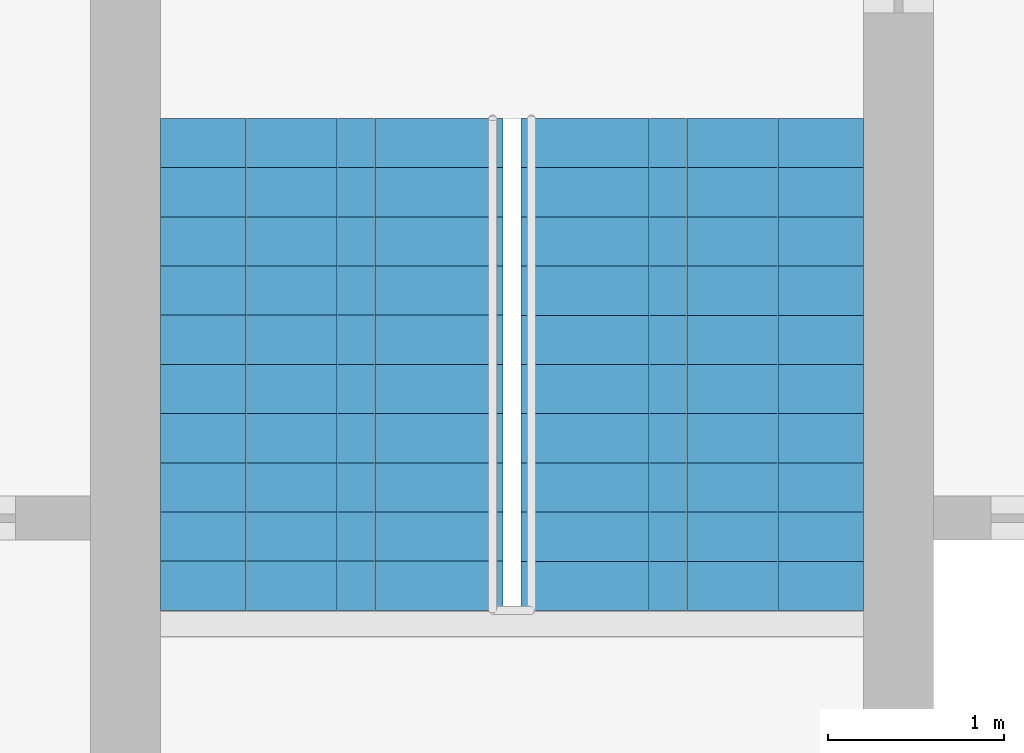
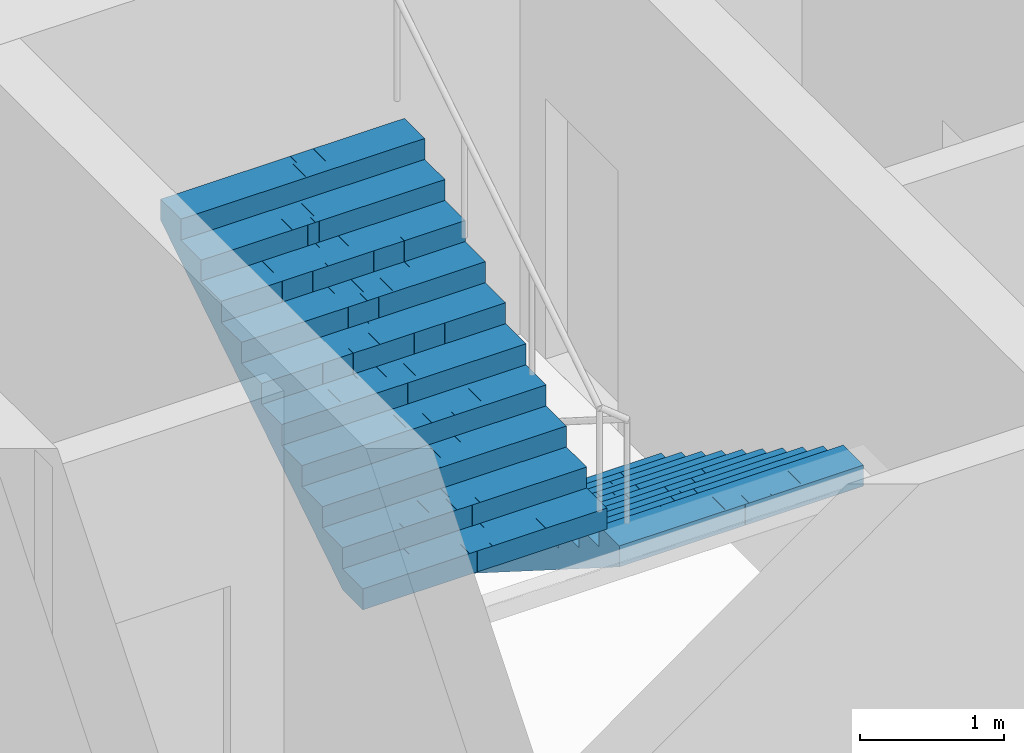
# One storey, part 21 of 22: 2 stair flights, 1 element without a shape of its own.
"""IFC4 building model written with IfcOpenShell, lengths in metres."""

from ifc_helpers import new_model, si_unit, direction, frame, origin, place, context, subcontext, project, spatial, polyline, outline, extrude, material, type_object, element, aggregate, save


model = new_model("IFC4")

# Units and contexts
model_context = context("Model", 3, precision=1e-05, world=origin(), true_north=direction((0.0, 1.0)))
body_context = subcontext(model_context, "Body", "Model", "MODEL_VIEW")
ifc_project = project(units=[si_unit("LENGTHUNIT", "METRE"), si_unit("AREAUNIT", "SQUARE_METRE"), si_unit("VOLUMEUNIT", "CUBIC_METRE"), si_unit("PLANEANGLEUNIT", "RADIAN"), si_unit("MASSUNIT", "GRAM", prefix="KILO")], contexts=[model_context])

# Site, building, storey
site_placement = place(None, origin())
site = spatial("IfcSite", under=ifc_project, at=site_placement, CompositionType="ELEMENT")
building_placement = place(site_placement, origin())
building = spatial("IfcBuilding", under=site, at=building_placement, Name="Mizan Broadcast Tower", CompositionType="ELEMENT")
storey_placement = place(building_placement, frame((0.0, 0.0, 102.0)))
storey = spatial("IfcBuildingStorey", under=building, at=storey_placement, Name="L22", CompositionType="ELEMENT", Elevation=102.0)

# Stair, stair flights
ifc_material_1 = material(Name="Concrete C40/50", Category="concrete")
stair_type = type_object("IfcStairType", Name="EXIT STAIR", PredefinedType="HALF_TURN_STAIR", material=ifc_material_1)
stair_placement = place(storey_placement, origin())
stair = element("IfcStair", 1, at=stair_placement, inside=storey, type_object=stair_type, Name="Stair B L22", PredefinedType="HALF_TURN_STAIR")
ifc_material_2 = material(Name="Concrete C40/50", Category="concrete")
stair_flight_type = type_object("IfcStairFlightType", Name="EXIT STAIR FLIGHT", PredefinedType="STRAIGHT", material=ifc_material_2)
stair_flight_1_placement = place(storey_placement, frame((1.02490234375, 7.89990234375, 0.0), z_axis=(0.0, 0.0, 1.0), x_axis=(0.0, -1.0, 0.0)))
stair_flight_1 = element("IfcStairFlight", 2, at=stair_flight_1_placement, type_object=stair_flight_type, Name="B flight 1", NumberOfRisers=11, NumberOfTreads=10, PredefinedType="STRAIGHT", RiserHeight=0.177272727, TreadLength=0.28, context=body_context, shape_type="SweptSolid", body=[
    extrude(outline(polyline([(0.0, 0.0), (0.0, 0.17724609375), (0.280029296875, 0.17724609375), (0.280029296875, 0.3544921875), (0.56005859375, 0.3544921875), (0.56005859375, 0.53173828125), (0.840087890625, 0.53173828125), (0.840087890625, 0.708984375), (1.1201171875, 0.708984375), (1.1201171875, 0.886474609375), (1.39990234375, 0.886474609375), (1.39990234375, 1.063720703125), (1.679931640625, 1.063720703125), (1.679931640625, 1.240966796875), (1.9599609375, 1.240966796875), (1.9599609375, 1.418212890625), (2.239990234375, 1.418212890625), (2.239990234375, 1.595458984375), (2.52001953125, 1.595458984375), (2.52001953125, 1.772705078125), (2.800048828125, 1.772705078125), (2.800048828125, 1.949951171875), (2.800048828125, 1.59521484375), (0.2802734375, 0.0), (0.0, 0.0)])), frame((0.0, 0.97509765625, 0.0), z_axis=(0.0, -1.0, 0.0), x_axis=(1.0, 0.0, 0.0)), (0.0, 0.0, 1.0), 0.4873046875),
    extrude(outline(polyline([(0.0, 0.0), (0.0, 0.17724609375), (0.280029296875, 0.17724609375), (0.280029296875, 0.3544921875), (0.56005859375, 0.3544921875), (0.56005859375, 0.53173828125), (0.840087890625, 0.53173828125), (0.840087890625, 0.708984375), (1.1201171875, 0.708984375), (1.1201171875, 0.886474609375), (1.39990234375, 0.886474609375), (1.39990234375, 1.063720703125), (1.679931640625, 1.063720703125), (1.679931640625, 1.240966796875), (1.9599609375, 1.240966796875), (1.9599609375, 1.418212890625), (2.239990234375, 1.418212890625), (2.239990234375, 1.595458984375), (2.52001953125, 1.595458984375), (2.52001953125, 1.772705078125), (2.800048828125, 1.772705078125), (2.800048828125, 1.949951171875), (2.800048828125, 1.59521484375), (0.2802734375, 0.0), (0.0, 0.0)])), frame((0.0, 0.4873046875, 0.0), z_axis=(0.0, -1.0, 0.0), x_axis=(1.0, 0.0, 0.0)), (0.0, 0.0, 1.0), 0.2431640625),
    extrude(outline(polyline([(0.0, 0.0), (0.0, 0.17724609375), (0.280029296875, 0.17724609375), (0.280029296875, 0.3544921875), (0.56005859375, 0.3544921875), (0.56005859375, 0.53173828125), (0.840087890625, 0.53173828125), (0.840087890625, 0.708984375), (1.1201171875, 0.708984375), (1.1201171875, 0.886474609375), (1.39990234375, 0.886474609375), (1.39990234375, 1.063720703125), (1.679931640625, 1.063720703125), (1.679931640625, 1.240966796875), (1.9599609375, 1.240966796875), (1.9599609375, 1.418212890625), (2.239990234375, 1.418212890625), (2.239990234375, 1.595458984375), (2.52001953125, 1.595458984375), (2.52001953125, 1.772705078125), (2.800048828125, 1.772705078125), (2.800048828125, 1.949951171875), (2.800048828125, 1.59521484375), (0.2802734375, 0.0), (0.0, 0.0)])), frame((0.0, 0.24365234375, 0.0), z_axis=(0.0, -1.0, 0.0), x_axis=(1.0, 0.0, 0.0)), (0.0, 0.0, 1.0), 0.121337890625),
    extrude(outline(polyline([(0.0, 0.0), (0.0, 0.17724609375), (0.280029296875, 0.17724609375), (0.280029296875, 0.3544921875), (0.56005859375, 0.3544921875), (0.56005859375, 0.53173828125), (0.840087890625, 0.53173828125), (0.840087890625, 0.708984375), (1.1201171875, 0.708984375), (1.1201171875, 0.886474609375), (1.39990234375, 0.886474609375), (1.39990234375, 1.063720703125), (1.679931640625, 1.063720703125), (1.679931640625, 1.240966796875), (1.9599609375, 1.240966796875), (1.9599609375, 1.418212890625), (2.239990234375, 1.418212890625), (2.239990234375, 1.595458984375), (2.52001953125, 1.595458984375), (2.52001953125, 1.772705078125), (2.800048828125, 1.772705078125), (2.800048828125, 1.949951171875), (2.800048828125, 1.59521484375), (0.2802734375, 0.0), (0.0, 0.0)])), frame((0.0, 0.121826171875, 0.0), z_axis=(0.0, -1.0, 0.0), x_axis=(1.0, 0.0, 0.0)), (0.0, 0.0, 1.0), 0.060546875),
    extrude(outline(polyline([(0.0, 0.0), (0.0, 0.17724609375), (0.280029296875, 0.17724609375), (0.280029296875, 0.3544921875), (0.56005859375, 0.3544921875), (0.56005859375, 0.53173828125), (0.840087890625, 0.53173828125), (0.840087890625, 0.708984375), (1.1201171875, 0.708984375), (1.1201171875, 0.886474609375), (1.39990234375, 0.886474609375), (1.39990234375, 1.063720703125), (1.679931640625, 1.063720703125), (1.679931640625, 1.240966796875), (1.9599609375, 1.240966796875), (1.9599609375, 1.418212890625), (2.239990234375, 1.418212890625), (2.239990234375, 1.595458984375), (2.52001953125, 1.595458984375), (2.52001953125, 1.772705078125), (2.800048828125, 1.772705078125), (2.800048828125, 1.949951171875), (2.800048828125, 1.59521484375), (0.2802734375, 0.0), (0.0, 0.0)])), frame((0.0, 0.060791015625, 0.0), z_axis=(0.0, -1.0, 0.0), x_axis=(1.0, 0.0, 0.0)), (0.0, 0.0, 1.0), 0.030029296875),
    extrude(outline(polyline([(0.0, 0.0), (0.0, 0.17724609375), (0.280029296875, 0.17724609375), (0.280029296875, 0.3544921875), (0.56005859375, 0.3544921875), (0.56005859375, 0.53173828125), (0.840087890625, 0.53173828125), (0.840087890625, 0.708984375), (1.1201171875, 0.708984375), (1.1201171875, 0.886474609375), (1.39990234375, 0.886474609375), (1.39990234375, 1.063720703125), (1.679931640625, 1.063720703125), (1.679931640625, 1.240966796875), (1.9599609375, 1.240966796875), (1.9599609375, 1.418212890625), (2.239990234375, 1.418212890625), (2.239990234375, 1.595458984375), (2.52001953125, 1.595458984375), (2.52001953125, 1.772705078125), (2.800048828125, 1.772705078125), (2.800048828125, 1.949951171875), (2.800048828125, 1.59521484375), (0.2802734375, 0.0), (0.0, 0.0)])), frame((0.0, 0.0302734375, 0.0), z_axis=(0.0, -1.0, 0.0), x_axis=(1.0, 0.0, 0.0)), (0.0, 0.0, 1.0), 0.060302734375),
    extrude(outline(polyline([(0.0, 0.0), (0.0, 0.17724609375), (0.280029296875, 0.17724609375), (0.280029296875, 0.3544921875), (0.56005859375, 0.3544921875), (0.56005859375, 0.53173828125), (0.840087890625, 0.53173828125), (0.840087890625, 0.708984375), (1.1201171875, 0.708984375), (1.1201171875, 0.886474609375), (1.39990234375, 0.886474609375), (1.39990234375, 1.063720703125), (1.679931640625, 1.063720703125), (1.679931640625, 1.240966796875), (1.9599609375, 1.240966796875), (1.9599609375, 1.418212890625), (2.239990234375, 1.418212890625), (2.239990234375, 1.595458984375), (2.52001953125, 1.595458984375), (2.52001953125, 1.772705078125), (2.800048828125, 1.772705078125), (2.800048828125, 1.949951171875), (2.800048828125, 1.59521484375), (0.2802734375, 0.0), (0.0, 0.0)])), frame((0.0, -0.030517578125, 0.0), z_axis=(0.0, -1.0, 0.0), x_axis=(1.0, 0.0, 0.0)), (0.0, 0.0, 1.0), 0.030029296875),
    extrude(outline(polyline([(0.0, 0.0), (0.0, 0.17724609375), (0.280029296875, 0.17724609375), (0.280029296875, 0.3544921875), (0.56005859375, 0.3544921875), (0.56005859375, 0.53173828125), (0.840087890625, 0.53173828125), (0.840087890625, 0.708984375), (1.1201171875, 0.708984375), (1.1201171875, 0.886474609375), (1.39990234375, 0.886474609375), (1.39990234375, 1.063720703125), (1.679931640625, 1.063720703125), (1.679931640625, 1.240966796875), (1.9599609375, 1.240966796875), (1.9599609375, 1.418212890625), (2.239990234375, 1.418212890625), (2.239990234375, 1.595458984375), (2.52001953125, 1.595458984375), (2.52001953125, 1.772705078125), (2.800048828125, 1.772705078125), (2.800048828125, 1.949951171875), (2.800048828125, 1.59521484375), (0.2802734375, 0.0), (0.0, 0.0)])), frame((0.0, -0.06103515625, 0.0), z_axis=(0.0, -1.0, 0.0), x_axis=(1.0, 0.0, 0.0)), (0.0, 0.0, 1.0), 0.060546875),
    extrude(outline(polyline([(0.0, 0.0), (0.0, 0.17724609375), (0.280029296875, 0.17724609375), (0.280029296875, 0.3544921875), (0.56005859375, 0.3544921875), (0.56005859375, 0.53173828125), (0.840087890625, 0.53173828125), (0.840087890625, 0.708984375), (1.1201171875, 0.708984375), (1.1201171875, 0.886474609375), (1.39990234375, 0.886474609375), (1.39990234375, 1.063720703125), (1.679931640625, 1.063720703125), (1.679931640625, 1.240966796875), (1.9599609375, 1.240966796875), (1.9599609375, 1.418212890625), (2.239990234375, 1.418212890625), (2.239990234375, 1.595458984375), (2.52001953125, 1.595458984375), (2.52001953125, 1.772705078125), (2.800048828125, 1.772705078125), (2.800048828125, 1.949951171875), (2.800048828125, 1.59521484375), (0.2802734375, 0.0), (0.0, 0.0)])), frame((0.0, -0.1220703125, 0.0), z_axis=(0.0, -1.0, 0.0), x_axis=(1.0, 0.0, 0.0)), (0.0, 0.0, 1.0), 0.121337890625),
    extrude(outline(polyline([(0.0, 0.0), (0.0, 0.17724609375), (0.280029296875, 0.17724609375), (0.280029296875, 0.3544921875), (0.56005859375, 0.3544921875), (0.56005859375, 0.53173828125), (0.840087890625, 0.53173828125), (0.840087890625, 0.708984375), (1.1201171875, 0.708984375), (1.1201171875, 0.886474609375), (1.39990234375, 0.886474609375), (1.39990234375, 1.063720703125), (1.679931640625, 1.063720703125), (1.679931640625, 1.240966796875), (1.9599609375, 1.240966796875), (1.9599609375, 1.418212890625), (2.239990234375, 1.418212890625), (2.239990234375, 1.595458984375), (2.52001953125, 1.595458984375), (2.52001953125, 1.772705078125), (2.800048828125, 1.772705078125), (2.800048828125, 1.949951171875), (2.800048828125, 1.59521484375), (0.2802734375, 0.0), (0.0, 0.0)])), frame((0.0, -0.243896484375, 0.0), z_axis=(0.0, -1.0, 0.0), x_axis=(1.0, 0.0, 0.0)), (0.0, 0.0, 1.0), 0.2431640625),
    extrude(outline(polyline([(0.0, 0.0), (0.0, 0.17724609375), (0.280029296875, 0.17724609375), (0.280029296875, 0.3544921875), (0.56005859375, 0.3544921875), (0.56005859375, 0.53173828125), (0.840087890625, 0.53173828125), (0.840087890625, 0.708984375), (1.1201171875, 0.708984375), (1.1201171875, 0.886474609375), (1.39990234375, 0.886474609375), (1.39990234375, 1.063720703125), (1.679931640625, 1.063720703125), (1.679931640625, 1.240966796875), (1.9599609375, 1.240966796875), (1.9599609375, 1.418212890625), (2.239990234375, 1.418212890625), (2.239990234375, 1.595458984375), (2.52001953125, 1.595458984375), (2.52001953125, 1.772705078125), (2.800048828125, 1.772705078125), (2.800048828125, 1.949951171875), (2.800048828125, 1.59521484375), (0.2802734375, 0.0), (0.0, 0.0)])), frame((0.0, -0.487548828125, 0.0), z_axis=(0.0, -1.0, 0.0), x_axis=(1.0, 0.0, 0.0)), (0.0, 0.0, 1.0), 0.4873046875),
])
stair_flight_2_placement = place(storey_placement, frame((-1.02490234375, 5.10009765625, 1.949951171875), z_axis=(0.0, 0.0, 1.0), x_axis=(0.0, 1.0, 0.0)))
stair_flight_2 = element("IfcStairFlight", 3, at=stair_flight_2_placement, type_object=stair_flight_type, Name="B flight 2", NumberOfRisers=11, NumberOfTreads=10, PredefinedType="STRAIGHT", RiserHeight=0.177272727, TreadLength=0.28, context=body_context, shape_type="SweptSolid", body=[
    extrude(outline(polyline([(0.0, 0.0), (0.0, 0.17724609375), (0.280029296875, 0.17724609375), (0.280029296875, 0.3544921875), (0.56005859375, 0.3544921875), (0.56005859375, 0.53173828125), (0.840087890625, 0.53173828125), (0.840087890625, 0.708984375), (1.1201171875, 0.708984375), (1.1201171875, 0.886474609375), (1.39990234375, 0.886474609375), (1.39990234375, 1.063720703125), (1.679931640625, 1.063720703125), (1.679931640625, 1.240966796875), (1.9599609375, 1.240966796875), (1.9599609375, 1.418212890625), (2.239990234375, 1.418212890625), (2.239990234375, 1.595458984375), (2.52001953125, 1.595458984375), (2.52001953125, 1.772705078125), (2.800048828125, 1.772705078125), (2.800048828125, 1.949951171875), (2.800048828125, 1.59521484375), (0.2802734375, 0.0), (0.0, 0.0)])), frame((0.0, 0.97509765625, 0.0), z_axis=(0.0, -1.0, 0.0), x_axis=(1.0, 0.0, 0.0)), (0.0, 0.0, 1.0), 0.4873046875),
    extrude(outline(polyline([(0.0, 0.0), (0.0, 0.17724609375), (0.280029296875, 0.17724609375), (0.280029296875, 0.3544921875), (0.56005859375, 0.3544921875), (0.56005859375, 0.53173828125), (0.840087890625, 0.53173828125), (0.840087890625, 0.708984375), (1.1201171875, 0.708984375), (1.1201171875, 0.886474609375), (1.39990234375, 0.886474609375), (1.39990234375, 1.063720703125), (1.679931640625, 1.063720703125), (1.679931640625, 1.240966796875), (1.9599609375, 1.240966796875), (1.9599609375, 1.418212890625), (2.239990234375, 1.418212890625), (2.239990234375, 1.595458984375), (2.52001953125, 1.595458984375), (2.52001953125, 1.772705078125), (2.800048828125, 1.772705078125), (2.800048828125, 1.949951171875), (2.800048828125, 1.59521484375), (0.2802734375, 0.0), (0.0, 0.0)])), frame((0.0, 0.4873046875, 0.0), z_axis=(0.0, -1.0, 0.0), x_axis=(1.0, 0.0, 0.0)), (0.0, 0.0, 1.0), 0.2431640625),
    extrude(outline(polyline([(0.0, 0.0), (0.0, 0.17724609375), (0.280029296875, 0.17724609375), (0.280029296875, 0.3544921875), (0.56005859375, 0.3544921875), (0.56005859375, 0.53173828125), (0.840087890625, 0.53173828125), (0.840087890625, 0.708984375), (1.1201171875, 0.708984375), (1.1201171875, 0.886474609375), (1.39990234375, 0.886474609375), (1.39990234375, 1.063720703125), (1.679931640625, 1.063720703125), (1.679931640625, 1.240966796875), (1.9599609375, 1.240966796875), (1.9599609375, 1.418212890625), (2.239990234375, 1.418212890625), (2.239990234375, 1.595458984375), (2.52001953125, 1.595458984375), (2.52001953125, 1.772705078125), (2.800048828125, 1.772705078125), (2.800048828125, 1.949951171875), (2.800048828125, 1.59521484375), (0.2802734375, 0.0), (0.0, 0.0)])), frame((0.0, 0.24365234375, 0.0), z_axis=(0.0, -1.0, 0.0), x_axis=(1.0, 0.0, 0.0)), (0.0, 0.0, 1.0), 0.121337890625),
    extrude(outline(polyline([(0.0, 0.0), (0.0, 0.17724609375), (0.280029296875, 0.17724609375), (0.280029296875, 0.3544921875), (0.56005859375, 0.3544921875), (0.56005859375, 0.53173828125), (0.840087890625, 0.53173828125), (0.840087890625, 0.708984375), (1.1201171875, 0.708984375), (1.1201171875, 0.886474609375), (1.39990234375, 0.886474609375), (1.39990234375, 1.063720703125), (1.679931640625, 1.063720703125), (1.679931640625, 1.240966796875), (1.9599609375, 1.240966796875), (1.9599609375, 1.418212890625), (2.239990234375, 1.418212890625), (2.239990234375, 1.595458984375), (2.52001953125, 1.595458984375), (2.52001953125, 1.772705078125), (2.800048828125, 1.772705078125), (2.800048828125, 1.949951171875), (2.800048828125, 1.59521484375), (0.2802734375, 0.0), (0.0, 0.0)])), frame((0.0, 0.121826171875, 0.0), z_axis=(0.0, -1.0, 0.0), x_axis=(1.0, 0.0, 0.0)), (0.0, 0.0, 1.0), 0.060546875),
    extrude(outline(polyline([(0.0, 0.0), (0.0, 0.17724609375), (0.280029296875, 0.17724609375), (0.280029296875, 0.3544921875), (0.56005859375, 0.3544921875), (0.56005859375, 0.53173828125), (0.840087890625, 0.53173828125), (0.840087890625, 0.708984375), (1.1201171875, 0.708984375), (1.1201171875, 0.886474609375), (1.39990234375, 0.886474609375), (1.39990234375, 1.063720703125), (1.679931640625, 1.063720703125), (1.679931640625, 1.240966796875), (1.9599609375, 1.240966796875), (1.9599609375, 1.418212890625), (2.239990234375, 1.418212890625), (2.239990234375, 1.595458984375), (2.52001953125, 1.595458984375), (2.52001953125, 1.772705078125), (2.800048828125, 1.772705078125), (2.800048828125, 1.949951171875), (2.800048828125, 1.59521484375), (0.2802734375, 0.0), (0.0, 0.0)])), frame((0.0, 0.060791015625, 0.0), z_axis=(0.0, -1.0, 0.0), x_axis=(1.0, 0.0, 0.0)), (0.0, 0.0, 1.0), 0.030029296875),
    extrude(outline(polyline([(0.0, 0.0), (0.0, 0.17724609375), (0.280029296875, 0.17724609375), (0.280029296875, 0.3544921875), (0.56005859375, 0.3544921875), (0.56005859375, 0.53173828125), (0.840087890625, 0.53173828125), (0.840087890625, 0.708984375), (1.1201171875, 0.708984375), (1.1201171875, 0.886474609375), (1.39990234375, 0.886474609375), (1.39990234375, 1.063720703125), (1.679931640625, 1.063720703125), (1.679931640625, 1.240966796875), (1.9599609375, 1.240966796875), (1.9599609375, 1.418212890625), (2.239990234375, 1.418212890625), (2.239990234375, 1.595458984375), (2.52001953125, 1.595458984375), (2.52001953125, 1.772705078125), (2.800048828125, 1.772705078125), (2.800048828125, 1.949951171875), (2.800048828125, 1.59521484375), (0.2802734375, 0.0), (0.0, 0.0)])), frame((0.0, 0.0302734375, 0.0), z_axis=(0.0, -1.0, 0.0), x_axis=(1.0, 0.0, 0.0)), (0.0, 0.0, 1.0), 0.060302734375),
    extrude(outline(polyline([(0.0, 0.0), (0.0, 0.17724609375), (0.280029296875, 0.17724609375), (0.280029296875, 0.3544921875), (0.56005859375, 0.3544921875), (0.56005859375, 0.53173828125), (0.840087890625, 0.53173828125), (0.840087890625, 0.708984375), (1.1201171875, 0.708984375), (1.1201171875, 0.886474609375), (1.39990234375, 0.886474609375), (1.39990234375, 1.063720703125), (1.679931640625, 1.063720703125), (1.679931640625, 1.240966796875), (1.9599609375, 1.240966796875), (1.9599609375, 1.418212890625), (2.239990234375, 1.418212890625), (2.239990234375, 1.595458984375), (2.52001953125, 1.595458984375), (2.52001953125, 1.772705078125), (2.800048828125, 1.772705078125), (2.800048828125, 1.949951171875), (2.800048828125, 1.59521484375), (0.2802734375, 0.0), (0.0, 0.0)])), frame((0.0, -0.030517578125, 0.0), z_axis=(0.0, -1.0, 0.0), x_axis=(1.0, 0.0, 0.0)), (0.0, 0.0, 1.0), 0.030029296875),
    extrude(outline(polyline([(0.0, 0.0), (0.0, 0.17724609375), (0.280029296875, 0.17724609375), (0.280029296875, 0.3544921875), (0.56005859375, 0.3544921875), (0.56005859375, 0.53173828125), (0.840087890625, 0.53173828125), (0.840087890625, 0.708984375), (1.1201171875, 0.708984375), (1.1201171875, 0.886474609375), (1.39990234375, 0.886474609375), (1.39990234375, 1.063720703125), (1.679931640625, 1.063720703125), (1.679931640625, 1.240966796875), (1.9599609375, 1.240966796875), (1.9599609375, 1.418212890625), (2.239990234375, 1.418212890625), (2.239990234375, 1.595458984375), (2.52001953125, 1.595458984375), (2.52001953125, 1.772705078125), (2.800048828125, 1.772705078125), (2.800048828125, 1.949951171875), (2.800048828125, 1.59521484375), (0.2802734375, 0.0), (0.0, 0.0)])), frame((0.0, -0.06103515625, 0.0), z_axis=(0.0, -1.0, 0.0), x_axis=(1.0, 0.0, 0.0)), (0.0, 0.0, 1.0), 0.060546875),
    extrude(outline(polyline([(0.0, 0.0), (0.0, 0.17724609375), (0.280029296875, 0.17724609375), (0.280029296875, 0.3544921875), (0.56005859375, 0.3544921875), (0.56005859375, 0.53173828125), (0.840087890625, 0.53173828125), (0.840087890625, 0.708984375), (1.1201171875, 0.708984375), (1.1201171875, 0.886474609375), (1.39990234375, 0.886474609375), (1.39990234375, 1.063720703125), (1.679931640625, 1.063720703125), (1.679931640625, 1.240966796875), (1.9599609375, 1.240966796875), (1.9599609375, 1.418212890625), (2.239990234375, 1.418212890625), (2.239990234375, 1.595458984375), (2.52001953125, 1.595458984375), (2.52001953125, 1.772705078125), (2.800048828125, 1.772705078125), (2.800048828125, 1.949951171875), (2.800048828125, 1.59521484375), (0.2802734375, 0.0), (0.0, 0.0)])), frame((0.0, -0.1220703125, 0.0), z_axis=(0.0, -1.0, 0.0), x_axis=(1.0, 0.0, 0.0)), (0.0, 0.0, 1.0), 0.121337890625),
    extrude(outline(polyline([(0.0, 0.0), (0.0, 0.17724609375), (0.280029296875, 0.17724609375), (0.280029296875, 0.3544921875), (0.56005859375, 0.3544921875), (0.56005859375, 0.53173828125), (0.840087890625, 0.53173828125), (0.840087890625, 0.708984375), (1.1201171875, 0.708984375), (1.1201171875, 0.886474609375), (1.39990234375, 0.886474609375), (1.39990234375, 1.063720703125), (1.679931640625, 1.063720703125), (1.679931640625, 1.240966796875), (1.9599609375, 1.240966796875), (1.9599609375, 1.418212890625), (2.239990234375, 1.418212890625), (2.239990234375, 1.595458984375), (2.52001953125, 1.595458984375), (2.52001953125, 1.772705078125), (2.800048828125, 1.772705078125), (2.800048828125, 1.949951171875), (2.800048828125, 1.59521484375), (0.2802734375, 0.0), (0.0, 0.0)])), frame((0.0, -0.243896484375, 0.0), z_axis=(0.0, -1.0, 0.0), x_axis=(1.0, 0.0, 0.0)), (0.0, 0.0, 1.0), 0.2431640625),
    extrude(outline(polyline([(0.0, 0.0), (0.0, 0.17724609375), (0.280029296875, 0.17724609375), (0.280029296875, 0.3544921875), (0.56005859375, 0.3544921875), (0.56005859375, 0.53173828125), (0.840087890625, 0.53173828125), (0.840087890625, 0.708984375), (1.1201171875, 0.708984375), (1.1201171875, 0.886474609375), (1.39990234375, 0.886474609375), (1.39990234375, 1.063720703125), (1.679931640625, 1.063720703125), (1.679931640625, 1.240966796875), (1.9599609375, 1.240966796875), (1.9599609375, 1.418212890625), (2.239990234375, 1.418212890625), (2.239990234375, 1.595458984375), (2.52001953125, 1.595458984375), (2.52001953125, 1.772705078125), (2.800048828125, 1.772705078125), (2.800048828125, 1.949951171875), (2.800048828125, 1.59521484375), (0.2802734375, 0.0), (0.0, 0.0)])), frame((0.0, -0.487548828125, 0.0), z_axis=(0.0, -1.0, 0.0), x_axis=(1.0, 0.0, 0.0)), (0.0, 0.0, 1.0), 0.4873046875),
])
aggregate(stair, [stair_flight_1, stair_flight_2])

save(model, "model.ifc")
